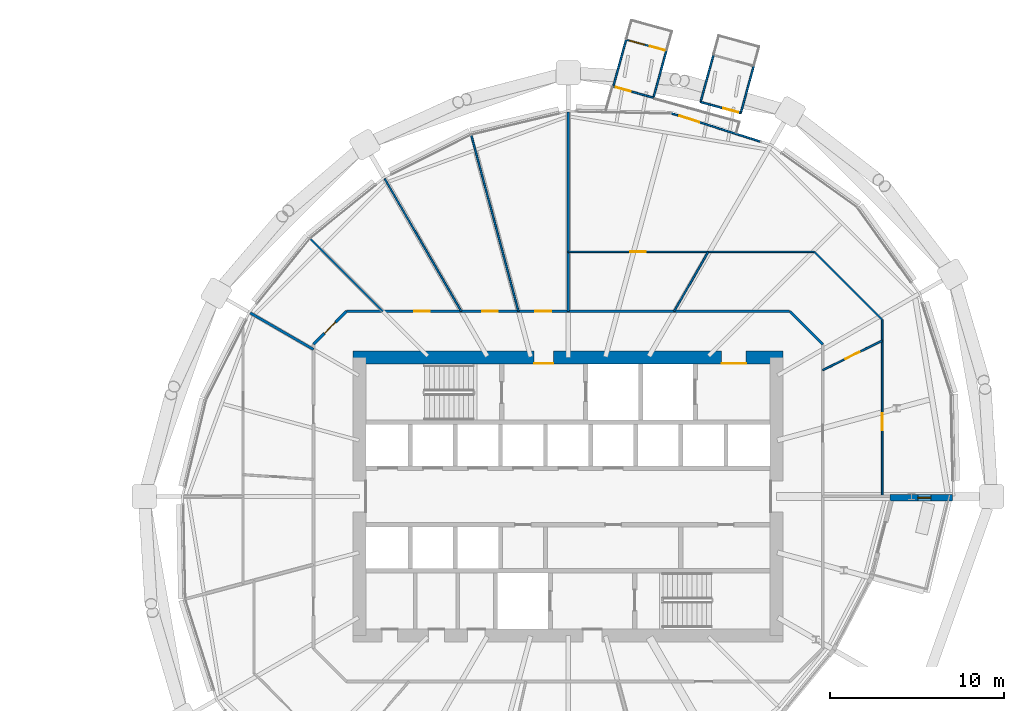
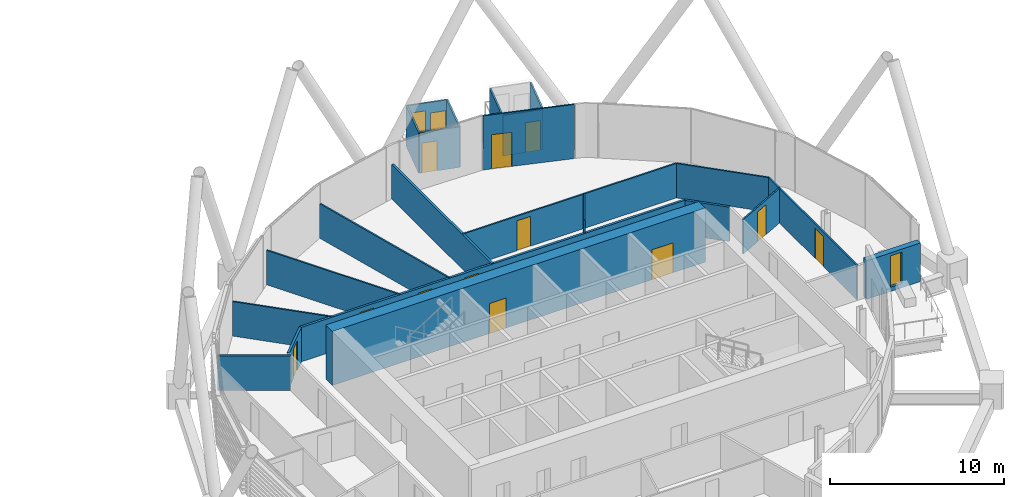
# One storey, part 28 of 38: 23 walls, 13 doors, 2 windows, 15 openings.
"""IFC4 building model written with IfcOpenShell, lengths in metres."""

import ifcopenshell
import ifcopenshell.guid

model = None  # the IFC model being written
_history = None  # IfcOwnerHistory: only IFC2X3 demands one
_inside = {}  # id of a spatial element -> (the spatial element, [elements in it])
_under = {}  # id of a project, library or spatial element -> (it, [spatial elements below it])
_declared = {}  # id of a project -> (the project, [libraries it declares])
_typed = {}  # id of a type object -> (the type object, [elements of that type])
_made_of = {}  # id of a material, layer set ... -> (it, [elements and type objects made of it])


def new_model(schema):
    """Start an empty IFC model of exactly this schema.

    Asked for "IFC4X3", IfcOpenShell would pick the latest addendum, in which some entities
    have other attributes; the version numbers below select the first issue.
    IFC2X3 requires an IfcOwnerHistory on every rooted entity: one is made here for all.
    """
    global model, _history
    if schema == "IFC4X3":
        model = ifcopenshell.file(schema_version=(4, 3, 0, 0))
    else:
        model = ifcopenshell.file(schema=schema)
    _inside.clear()
    _under.clear()
    _declared.clear()
    _typed.clear()
    _made_of.clear()
    _history = None
    if model.schema == "IFC2X3":
        org = make("IfcOrganization", Name="unknown")
        user = make(
            "IfcPersonAndOrganization",
            ThePerson=make("IfcPerson", FamilyName="unknown"),
            TheOrganization=org,
        )
        app = make(
            "IfcApplication",
            ApplicationDeveloper=org,
            Version="unknown",
            ApplicationFullName="unknown",
            ApplicationIdentifier="unknown",
        )
        _history = make(
            "IfcOwnerHistory",
            OwningUser=user,
            OwningApplication=app,
            ChangeAction="ADDED",
            CreationDate=0,
        )
    return model


def make(cls, **values):
    """One entity of the class cls with the attributes given. An attribute that is None is left unset."""
    return model.create_entity(
        cls, **{name: value for name, value in values.items() if value is not None}
    )


def rooted(cls, **values):
    """An entity with a GlobalId (a new one), such as an element, a storey or a relation."""
    return make(cls, GlobalId=ifcopenshell.guid.new(), OwnerHistory=_history, **values)


def si_unit(unit_type, name, prefix=None):
    """IfcSIUnit, for example si_unit("LENGTHUNIT", "METRE", prefix="MILLI")."""
    return make("IfcSIUnit", UnitType=unit_type, Prefix=prefix, Name=name)


def assignment(units):
    """IfcUnitAssignment: the units of a project."""
    return None if units is None else make("IfcUnitAssignment", Units=units)


def point(xyz):
    """IfcCartesianPoint."""
    return None if xyz is None else make("IfcCartesianPoint", Coordinates=xyz)


def direction(xyz):
    """IfcDirection."""
    return None if xyz is None else make("IfcDirection", DirectionRatios=xyz)


def frame(location, z_axis=None, x_axis=None):
    """IfcAxis2Placement3D, a coordinate frame: its origin and axes. An axis left out is left unset."""
    return make(
        "IfcAxis2Placement3D",
        Location=point(location),
        Axis=direction(z_axis),
        RefDirection=direction(x_axis),
    )


def frame_2d(location, x_axis=None):
    """IfcAxis2Placement2D, a coordinate frame in the plane: its origin and x axis."""
    return make(
        "IfcAxis2Placement2D", Location=point(location), RefDirection=direction(x_axis)
    )


def origin():
    """The frame at (0, 0, 0) with its axes left unset."""
    return frame((0.0, 0.0, 0.0))


def place(relative_to, where):
    """IfcLocalPlacement: puts the frame where relative to a parent placement (None: the world)."""
    return make(
        "IfcLocalPlacement", PlacementRelTo=relative_to, RelativePlacement=where
    )


def context(
    kind, dimensions, precision=None, world=None, true_north=None, identifier=None
):
    """IfcGeometricRepresentationContext, for example the 3D "Model" context."""
    return make(
        "IfcGeometricRepresentationContext",
        ContextIdentifier=identifier,
        ContextType=kind,
        CoordinateSpaceDimension=dimensions,
        Precision=precision,
        WorldCoordinateSystem=world,
        TrueNorth=true_north,
    )


def subcontext(parent, identifier, kind, view, scale=None):
    """IfcGeometricRepresentationSubContext, for example "Body" below "Model"."""
    return make(
        "IfcGeometricRepresentationSubContext",
        ContextIdentifier=identifier,
        ContextType=kind,
        ParentContext=parent,
        TargetScale=scale,
        TargetView=view,
    )


def project(units=None, contexts=None):
    """IfcProject with its units and contexts."""
    return rooted(
        "IfcProject",
        Name="project",
        RepresentationContexts=contexts,
        UnitsInContext=assignment(units),
    )


def spatial(cls, under=None, at=None, **own):
    """A site, building, storey or space (cls), placed at a placement, below another one or the project."""
    s = rooted(cls, ObjectPlacement=at, **own)
    if under is not None:
        _under.setdefault(under.id(), (under, []))[1].append(s)
    return s


def profile(cls, at=None, kind="AREA", **sizes):
    """A parametric profile (cls). Its sizes go by their IFC names, for example OverallWidth=200.0."""
    return make(cls, ProfileType=kind, Position=at, **sizes)


def rectangle(**sizes):
    """IfcRectangleProfileDef."""
    return profile("IfcRectangleProfileDef", **sizes)


def extrude(swept, where, along, depth):
    """IfcExtrudedAreaSolid: the profile swept, set in the frame where, extruded along a direction by depth."""
    return make(
        "IfcExtrudedAreaSolid",
        SweptArea=swept,
        Position=where,
        ExtrudedDirection=direction(along),
        Depth=depth,
    )


def shape(context_of_items, identifier, shape_type, items):
    """IfcShapeRepresentation: the items that make up one representation, for example the "Body"."""
    return make(
        "IfcShapeRepresentation",
        ContextOfItems=context_of_items,
        RepresentationIdentifier=identifier,
        RepresentationType=shape_type,
        Items=items,
    )


def material(Name=None, Category=None):
    """IfcMaterial."""
    return make("IfcMaterial", Name=Name, Category=Category)


def layer(
    of_material, thickness, ventilated=None, Name=None, Category=None, Priority=None
):
    """IfcMaterialLayer: one layer of a wall or slab, of a material (None: an air gap)."""
    return make(
        "IfcMaterialLayer",
        Material=of_material,
        LayerThickness=thickness,
        IsVentilated=ventilated,
        Name=Name,
        Category=Category,
        Priority=Priority,
    )


def layer_set(layers, Name=None):
    """IfcMaterialLayerSet."""
    return make("IfcMaterialLayerSet", MaterialLayers=layers, LayerSetName=Name)


def made_of(thing, what):
    """Note that an element or type object is made of a material, layer set ...; save() writes the relation."""
    if what is not None:
        _made_of.setdefault(what.id(), (what, []))[1].append(thing)
    return thing


def type_object(cls, material=None, **own):
    """A type object (cls), such as IfcWallType, which elements share."""
    return made_of(rooted(cls, **own), material)


def element(
    cls,
    number,
    at=None,
    inside=None,
    cuts=None,
    type_object=None,
    material=None,
    context=None,
    identifier="Body",
    shape_type=None,
    held_by="IfcProductDefinitionShape",
    body=None,
    shapes=None,
    **own,
):
    """One element of the class cls, such as IfcWall. Its Tag is "e" and its number.

    at: its placement. inside: the storey or other place that contains it. cuts: it is an
    opening in that element (IfcRelVoidsElement). A single representation is given by context,
    identifier, shape_type and body (its items); several are given by shapes. held_by: the class
    of the entity that holds the representations. save() writes the other relations.
    """
    e = rooted(cls, Tag="e%d" % number, ObjectPlacement=at, **own)
    if body is not None:
        shapes = [shape(context, identifier, shape_type, body)]
    if shapes is not None:
        e.Representation = make(held_by, Representations=shapes)
    if inside is not None:
        _inside.setdefault(inside.id(), (inside, []))[1].append(e)
    if cuts is not None:
        rooted(
            "IfcRelVoidsElement", RelatingBuildingElement=cuts, RelatedOpeningElement=e
        )
    if type_object is not None:
        _typed.setdefault(type_object.id(), (type_object, []))[1].append(e)
    return made_of(e, material)


def fill(opening, filler):
    """IfcRelFillsElement: the door or window that sits in an opening."""
    return rooted(
        "IfcRelFillsElement",
        RelatingOpeningElement=opening,
        RelatedBuildingElement=filler,
    )


def aggregate(whole, parts):
    """IfcRelAggregates: a whole, such as a stair, and the parts it consists of."""
    return rooted("IfcRelAggregates", RelatingObject=whole, RelatedObjects=parts)


def save(model, path):
    """Write the relations noted so far, then the file.

    IfcRelAggregates (storeys below a building ...), IfcRelContainedInSpatialStructure (elements
    in a storey), IfcRelDefinesByType, IfcRelAssociatesMaterial and IfcRelDeclares: one each for
    every whole, place, type object, material and project.
    """
    for whole, parts in _under.values():
        aggregate(whole, parts)
    for where, things in _inside.values():
        rooted(
            "IfcRelContainedInSpatialStructure",
            RelatedElements=things,
            RelatingStructure=where,
        )
    for kind, things in _typed.values():
        rooted("IfcRelDefinesByType", RelatedObjects=things, RelatingType=kind)
    for what, things in _made_of.values():
        rooted("IfcRelAssociatesMaterial", RelatedObjects=things, RelatingMaterial=what)
    for by, libraries in _declared.values():
        rooted("IfcRelDeclares", RelatingContext=by, RelatedDefinitions=libraries)
    model.write(path)


model = new_model("IFC4")

# Units and contexts
model_context = context("Model", 3, precision=1e-05, world=origin(), true_north=direction((0.0, 1.0)))
body_context = subcontext(model_context, "Body", "Model", "MODEL_VIEW")
ifc_project = project(units=[si_unit("LENGTHUNIT", "METRE"), si_unit("AREAUNIT", "SQUARE_METRE"), si_unit("VOLUMEUNIT", "CUBIC_METRE"), si_unit("PLANEANGLEUNIT", "RADIAN"), si_unit("MASSUNIT", "GRAM", prefix="KILO")], contexts=[model_context])

# Site, building, storey
site_placement = place(None, origin())
site = spatial("IfcSite", under=ifc_project, at=site_placement, CompositionType="ELEMENT")
building_placement = place(site_placement, origin())
building = spatial("IfcBuilding", under=site, at=building_placement, Name="Rimbun Link Towers", CompositionType="ELEMENT")
storey_placement = place(building_placement, frame((0.0, 0.0, 93.0)))
storey = spatial("IfcBuildingStorey", under=building, at=storey_placement, Name="L22", CompositionType="ELEMENT", Elevation=93.0)

# Wall, openings, door, window
ifc_material_1 = material(Name="Terracotta-faced insulated sandwich panel", Category="masonry")
ifc_layer_1 = layer(ifc_material_1, 0.10009765625)
ifc_layer_set_1 = layer_set([ifc_layer_1], Name="CAPSULE entrance panel 100")
wall_type_1 = type_object("IfcWallType", Name="CAPSULE entrance panel 100", PredefinedType="STANDARD", material=ifc_layer_set_1)
wall_1_placement = place(storey_placement, frame((37.405029296875, 25.64306640625, 0.0), z_axis=(0.0, 0.0, 1.0), x_axis=(-0.96427623078, 0.264898755665, 0.0)))
wall_1 = element("IfcWall", 1, at=wall_1_placement, inside=storey, type_object=wall_type_1, Name="CAPSULE D222.01 shell panel 2", PredefinedType="STANDARD", context=body_context, shape_type="SweptSolid", body=[
    extrude(rectangle(XDim=2.39990234375, YDim=0.10009765625, at=frame_2d((1.199951171875, 0.0))), origin(), (0.0, 0.0, 1.0), 2.85009765625),
])
opening_1_placement = place(wall_1_placement, frame((0.10009765625, 0.0, 0.0)))
opening_1 = element("IfcOpeningElement", 2, at=opening_1_placement, cuts=wall_1, Name="Opening CD22.01", PredefinedType="OPENING", context=body_context, shape_type="SweptSolid", body=[
    extrude(rectangle(XDim=0.89990234375, YDim=2.10009765625, at=frame_2d((0.449951171875, 1.050048828125))), frame((0.0, 0.06005859375, 0.0), z_axis=(0.0, -1.0, 0.0), x_axis=(1.0, 0.0, 0.0)), (0.0, 0.0, 1.0), 0.1201171875),
])
opening_2_placement = place(wall_1_placement, frame((1.300048828125, 0.0, 0.89990234375)))
opening_2 = element("IfcOpeningElement", 3, at=opening_2_placement, cuts=wall_1, Name="Opening CN22.01", PredefinedType="OPENING", context=body_context, shape_type="SweptSolid", body=[
    extrude(rectangle(XDim=0.89990234375, YDim=1.39990234375, at=frame_2d((0.449951171875, 0.699951171875))), frame((0.0, 0.06005859375, 0.0), z_axis=(0.0, -1.0, 0.0), x_axis=(1.0, 0.0, 0.0)), (0.0, 0.0, 1.0), 0.1201171875),
])
ifc_material_2 = material(Name="Aluminium framed insulated door leaf", Category="aluminium")
door_type_1 = type_object("IfcDoorType", Name="CAPSULE door single leaf 900X2100", OperationType="SINGLE_SWING_LEFT", PredefinedType="DOOR", material=ifc_material_2)
door_1_placement = place(opening_1_placement, origin())
door_1 = element("IfcDoor", 4, at=door_1_placement, inside=storey, type_object=door_type_1, Name="CAPSULE D222.01 door", OperationType="SINGLE_SWING_LEFT", OverallHeight=2.10009765625, OverallWidth=0.89990234375, PredefinedType="DOOR", context=body_context, shape_type="SweptSolid", body=[
    extrude(rectangle(XDim=0.89990234375, YDim=2.10009765625, at=frame_2d((0.449951171875, 1.050048828125))), frame((0.0, 0.02490234375, 0.0), z_axis=(0.0, -1.0, 0.0), x_axis=(1.0, 0.0, 0.0)), (0.0, 0.0, 1.0), 0.050048828125),
])
fill(opening_1, door_1)
ifc_material_3 = material(Name="Aluminium framed window, low-iron glass", Category="aluminium")
window_type_1 = type_object("IfcWindowType", Name="CAPSULE window 900X1400", PartitioningType="SINGLE_PANEL", PredefinedType="WINDOW", material=ifc_material_3)
window_1_placement = place(opening_2_placement, origin())
window_1 = element("IfcWindow", 5, at=window_1_placement, inside=storey, type_object=window_type_1, Name="CAPSULE D222.01 window", OverallHeight=1.39990234375, OverallWidth=0.89990234375, PartitioningType="SINGLE_PANEL", PredefinedType="WINDOW", context=body_context, shape_type="SweptSolid", body=[
    extrude(rectangle(XDim=0.89990234375, YDim=1.39990234375, at=frame_2d((0.449951171875, 0.699951171875))), frame((0.0, 0.030029296875, 0.0), z_axis=(0.0, -1.0, 0.0), x_axis=(1.0, 0.0, 0.0)), (0.0, 0.0, 1.0), 0.06005859375),
])
fill(opening_2, window_1)

# Wall, opening, door
wall_2_placement = place(storey_placement, frame((34.34912109375, 23.57861328125, 0.0), z_axis=(0.0, 0.0, 1.0), x_axis=(0.964302211697, -0.264804162575, 0.0)))
wall_2 = element("IfcWall", 6, at=wall_2_placement, inside=storey, type_object=wall_type_1, Name="CAPSULE D222.01 shell panel 4", PredefinedType="STANDARD", context=body_context, shape_type="SweptSolid", body=[
    extrude(rectangle(XDim=2.39990234375, YDim=0.10009765625, at=frame_2d((1.199951171875, 0.0))), origin(), (0.0, 0.0, 1.0), 2.85009765625),
])
opening_3_placement = place(wall_2_placement, frame((0.14990234375, 0.0, 0.0)))
opening_3 = element("IfcOpeningElement", 7, at=opening_3_placement, cuts=wall_2, Name="Opening CE22.01", PredefinedType="OPENING", context=body_context, shape_type="SweptSolid", body=[
    extrude(rectangle(XDim=0.89990234375, YDim=2.10009765625, at=frame_2d((0.449951171875, 1.050048828125))), frame((0.0, 0.06005859375, 0.0), z_axis=(0.0, -1.0, 0.0), x_axis=(1.0, 0.0, 0.0)), (0.0, 0.0, 1.0), 0.1201171875),
])
door_2_placement = place(opening_3_placement, origin())
door_2 = element("IfcDoor", 8, at=door_2_placement, inside=storey, type_object=door_type_1, Name="CAPSULE D222.01 inner door", OperationType="SINGLE_SWING_LEFT", OverallHeight=2.10009765625, OverallWidth=0.89990234375, PredefinedType="DOOR", context=body_context, shape_type="SweptSolid", body=[
    extrude(rectangle(XDim=0.89990234375, YDim=2.10009765625, at=frame_2d((0.449951171875, 1.050048828125))), frame((0.0, 0.02490234375, 0.0), z_axis=(0.0, -1.0, 0.0), x_axis=(1.0, 0.0, 0.0)), (0.0, 0.0, 1.0), 0.050048828125),
])
fill(opening_3, door_2)

wall_3_placement = place(storey_placement, frame((39.37158203125, 22.692138671875, 0.0), z_axis=(0.0, 0.0, 1.0), x_axis=(0.96427623078, -0.264898755665, 0.0)))
wall_3 = element("IfcWall", 9, at=wall_3_placement, inside=storey, type_object=wall_type_1, Name="CAPSULE D222.02 shell panel 4", PredefinedType="STANDARD", context=body_context, shape_type="SweptSolid", body=[
    extrude(rectangle(XDim=2.39990234375, YDim=0.10009765625, at=frame_2d((1.199951171875, 0.0))), origin(), (0.0, 0.0, 1.0), 2.85009765625),
])
opening_4_placement = place(wall_3_placement, frame((1.35009765625, 0.0, 0.0)))
opening_4 = element("IfcOpeningElement", 10, at=opening_4_placement, cuts=wall_3, Name="Opening CE22.02", PredefinedType="OPENING", context=body_context, shape_type="SweptSolid", body=[
    extrude(rectangle(XDim=0.89990234375, YDim=2.10009765625, at=frame_2d((0.449951171875, 1.050048828125))), frame((0.0, 0.06005859375, 0.0), z_axis=(0.0, -1.0, 0.0), x_axis=(1.0, 0.0, 0.0)), (0.0, 0.0, 1.0), 0.1201171875),
])
door_3_placement = place(opening_4_placement, origin())
door_3 = element("IfcDoor", 11, at=door_3_placement, inside=storey, type_object=door_type_1, Name="CAPSULE D222.02 inner door", OperationType="SINGLE_SWING_LEFT", OverallHeight=2.10009765625, OverallWidth=0.89990234375, PredefinedType="DOOR", context=body_context, shape_type="SweptSolid", body=[
    extrude(rectangle(XDim=0.89990234375, YDim=2.10009765625, at=frame_2d((0.449951171875, 1.050048828125))), frame((0.0, 0.02490234375, 0.0), z_axis=(0.0, -1.0, 0.0), x_axis=(1.0, 0.0, 0.0)), (0.0, 0.0, 1.0), 0.050048828125),
])
fill(opening_4, door_3)

# Walls
ifc_material_4 = material(Name="Terracotta-faced insulated sandwich panel", Category="masonry")
ifc_layer_2 = layer(ifc_material_4, 0.10009765625)
ifc_layer_set_2 = layer_set([ifc_layer_2], Name="CAPSULE shell panel 100")
wall_type_2 = type_object("IfcWallType", Name="CAPSULE shell panel 100", PredefinedType="STANDARD", material=ifc_layer_set_2)
wall_4_placement = place(storey_placement, frame((36.663330078125, 22.943115234375, 0.0), z_axis=(0.0, 0.0, 1.0), x_axis=(0.264895043593, 0.964277250525, 0.0)))
element("IfcWall", 12, at=wall_4_placement, inside=storey, type_object=wall_type_2, Name="CAPSULE D222.01 shell panel 1", PredefinedType="STANDARD", context=body_context, shape_type="SweptSolid", body=[
    extrude(rectangle(XDim=2.800048828125, YDim=0.10009765625, at=frame_2d((1.39990234375, 0.0))), origin(), (0.0, 0.0, 1.0), 2.85009765625),
])
wall_5_placement = place(storey_placement, frame((35.0908203125, 26.27880859375, 0.0), z_axis=(0.0, 0.0, 1.0), x_axis=(-0.264872773262, -0.964283368095, 0.0)))
element("IfcWall", 13, at=wall_5_placement, inside=storey, type_object=wall_type_2, Name="CAPSULE D222.01 shell panel 3", PredefinedType="STANDARD", context=body_context, shape_type="SweptSolid", body=[
    extrude(rectangle(XDim=2.80029296875, YDim=0.10009765625, at=frame_2d((1.400146484375, 0.0))), origin(), (0.0, 0.0, 1.0), 2.85009765625),
])
wall_6_placement = place(storey_placement, frame((41.685791015625, 22.056396484375, 0.0), z_axis=(0.0, 0.0, 1.0), x_axis=(0.264895043593, 0.964277250525, 0.0)))
element("IfcWall", 14, at=wall_6_placement, inside=storey, type_object=wall_type_2, Name="CAPSULE D222.02 shell panel 1", PredefinedType="STANDARD", context=body_context, shape_type="SweptSolid", body=[
    extrude(rectangle(XDim=2.800048828125, YDim=0.10009765625, at=frame_2d((1.39990234375, 0.0))), origin(), (0.0, 0.0, 1.0), 2.85009765625),
])
wall_7_placement = place(storey_placement, frame((40.113037109375, 25.39208984375, 0.0), z_axis=(0.0, 0.0, 1.0), x_axis=(-0.264813965234, -0.964299519764, 0.0)))
element("IfcWall", 15, at=wall_7_placement, inside=storey, type_object=wall_type_2, Name="CAPSULE D222.02 shell panel 3", PredefinedType="STANDARD", context=body_context, shape_type="SweptSolid", body=[
    extrude(rectangle(XDim=2.7998046875, YDim=0.10009765625, at=frame_2d((1.39990234375, 0.0))), origin(), (0.0, 0.0, 1.0), 2.85009765625),
])

# Wall, opening, window
ifc_material_5 = material(Name="Dark enamelled glass spandrel on insulated aluminium backpan", Category="aluminium")
ifc_layer_3 = layer(ifc_material_5, 0.3701171875)
ifc_layer_set_3 = layer_set([ifc_layer_3], Name="CS dark enamelled spandrel wall 370")
wall_type_3 = type_object("IfcWallType", Name="CS dark enamelled spandrel wall 370", PredefinedType="STANDARD", material=ifc_layer_set_3)
wall_8_placement = place(storey_placement, frame((53.85888671875, -0.06494140625, 0.0), z_axis=(0.0, 0.0, 1.0), x_axis=(-1.0, 0.0, 0.0)))
wall_8 = element("IfcWall", 16, at=wall_8_placement, inside=storey, type_object=wall_type_3, Name="Crease spandrel wall", PredefinedType="STANDARD", context=body_context, shape_type="SweptSolid", body=[
    extrude(rectangle(XDim=3.579833984375, YDim=0.3701171875, at=frame_2d((1.7900390625, 0.0))), origin(), (0.0, 0.0, 1.0), 2.711669921875),
])
opening_5_placement = place(wall_8_placement, frame((1.241455078125, 0.0, 0.300048828125)))
opening_5 = element("IfcOpeningElement", 17, at=opening_5_placement, cuts=wall_8, Name="Opening WR08H220", PredefinedType="OPENING", context=body_context, shape_type="SweptSolid", body=[
    extrude(rectangle(XDim=0.75, YDim=2.199951171875, at=frame_2d((0.375, 1.10009765625))), frame((0.0, 0.195068359375, 0.0), z_axis=(0.0, -1.0, 0.0), x_axis=(1.0, 0.0, 0.0)), (0.0, 0.0, 1.0), 0.39013671875),
])
ifc_material_6 = material(Name="Aluminium framed fixed window, dark tinted low-e glass", Category="aluminium")
window_type_2 = type_object("IfcWindowType", Name="WR ribbon window 750X2200", PartitioningType="SINGLE_PANEL", PredefinedType="WINDOW", material=ifc_material_6)
window_2_placement = place(opening_5_placement, origin())
window_2 = element("IfcWindow", 18, at=window_2_placement, inside=storey, type_object=window_type_2, Name="Crease ribbon window", OverallHeight=2.199951171875, OverallWidth=0.75, PartitioningType="SINGLE_PANEL", PredefinedType="WINDOW", context=body_context, shape_type="SweptSolid", body=[
    extrude(rectangle(XDim=0.75, YDim=2.199951171875, at=frame_2d((0.375, 1.10009765625))), frame((0.0, 0.030029296875, 0.0), z_axis=(0.0, -1.0, 0.0), x_axis=(1.0, 0.0, 0.0)), (0.0, 0.0, 1.0), 0.06005859375),
])
fill(opening_5, window_2)

# Wall, openings, doors
ifc_material_7 = material(Name="Concrete C60/75", Category="concrete")
ifc_layer_4 = layer(ifc_material_7, 0.75)
ifc_layer_set_4 = layer_set([ifc_layer_4], Name="Core shear wall 750")
wall_type_4 = type_object("IfcWallType", Name="Core shear wall 750", PredefinedType="SHEAR", material=ifc_layer_set_4)
wall_9_placement = place(storey_placement, frame((19.375, 8.0, 0.0), z_axis=(0.0, 0.0, 1.0), x_axis=(1.0, 0.0, 0.0)))
wall_9 = element("IfcWall", 19, at=wall_9_placement, inside=storey, type_object=wall_type_4, Name="L22 T2 core wall N", PredefinedType="SHEAR", context=body_context, shape_type="SweptSolid", body=[
    extrude(rectangle(XDim=24.75, YDim=0.75, at=frame_2d((12.375, 0.0))), origin(), (0.0, 0.0, 1.0), 3.800048828125),
])
opening_6_placement = place(wall_9_placement, frame((10.425048828125, 0.0, 0.0)))
opening_6 = element("IfcOpeningElement", 20, at=opening_6_placement, cuts=wall_9, Name="Opening C2DCF01N", PredefinedType="OPENING", context=body_context, shape_type="SweptSolid", body=[
    extrude(rectangle(XDim=1.10009765625, YDim=2.10009765625, at=frame_2d((0.550048828125, 1.050048828125))), frame((0.0, 0.385009765625, 0.0), z_axis=(0.0, -1.0, 0.0), x_axis=(1.0, 0.0, 0.0)), (0.0, 0.0, 1.0), 0.77001953125),
])
opening_7_placement = place(wall_9_placement, frame((21.21240234375, 0.0, 0.0)))
opening_7 = element("IfcOpeningElement", 21, at=opening_7_placement, cuts=wall_9, Name="Opening C2DSL02N", PredefinedType="OPENING", context=body_context, shape_type="SweptSolid", body=[
    extrude(rectangle(XDim=1.39990234375, YDim=2.10009765625, at=frame_2d((0.699951171875, 1.050048828125))), frame((0.0, 0.385009765625, 0.0), z_axis=(0.0, -1.0, 0.0), x_axis=(1.0, 0.0, 0.0)), (0.0, 0.0, 1.0), 0.77001953125),
])
ifc_material_8 = material(Name="Steel fire door set", Category="steel")
door_type_2 = type_object("IfcDoorType", Name="Core fire door single", OperationType="SINGLE_SWING_LEFT", PredefinedType="DOOR", material=ifc_material_8)
door_4_placement = place(opening_6_placement, origin())
door_4 = element("IfcDoor", 22, at=door_4_placement, inside=storey, type_object=door_type_2, Name="L22 T2 firefighting lobby n door", OperationType="SINGLE_SWING_LEFT", OverallHeight=2.10009765625, OverallWidth=1.10009765625, PredefinedType="DOOR", context=body_context, shape_type="SweptSolid", body=[
    extrude(rectangle(XDim=1.10009765625, YDim=2.10009765625, at=frame_2d((0.550048828125, 1.050048828125))), frame((0.0, -0.3251953125, 0.0), z_axis=(0.0, -1.0, 0.0), x_axis=(1.0, 0.0, 0.0)), (0.0, 0.0, 1.0), 0.050048828125),
])
fill(opening_6, door_4)
ifc_material_9 = material(Name="Steel fire door set", Category="steel")
door_type_3 = type_object("IfcDoorType", Name="Service lobby door double", OperationType="DOUBLE_DOOR_SINGLE_SWING", PredefinedType="DOOR", material=ifc_material_9)
door_5_placement = place(opening_7_placement, origin())
door_5 = element("IfcDoor", 23, at=door_5_placement, inside=storey, type_object=door_type_3, Name="L22 T2 service lobby door", OperationType="DOUBLE_DOOR_SINGLE_SWING", OverallHeight=2.10009765625, OverallWidth=1.39990234375, PredefinedType="DOOR", context=body_context, shape_type="SweptSolid", body=[
    extrude(rectangle(XDim=1.39990234375, YDim=2.10009765625, at=frame_2d((0.699951171875, 1.050048828125))), frame((0.0, -0.3251953125, 0.0), z_axis=(0.0, -1.0, 0.0), x_axis=(1.0, 0.0, 0.0)), (0.0, 0.0, 1.0), 0.050048828125),
])
fill(opening_7, door_5)

ifc_material_10 = material(Name="Plasterboard on steel stud, mineral wool", Category="steel")
ifc_layer_5 = layer(ifc_material_10, 0.14990234375)
ifc_layer_set_5 = layer_set([ifc_layer_5], Name="Corridor wall EI 30 150 mm")
wall_type_5 = type_object("IfcWallType", Name="Corridor wall EI 30 150 mm", PredefinedType="PARTITIONING", material=ifc_layer_set_5)
wall_10_placement = place(storey_placement, frame((18.998291015625, 10.64990234375, 0.0), z_axis=(0.0, 0.0, 1.0), x_axis=(1.0, 0.0, 0.0)))
wall_10 = element("IfcWall", 24, at=wall_10_placement, inside=storey, type_object=wall_type_5, Name="Corridor wall EI 30 150 mm", PredefinedType="PARTITIONING", context=body_context, shape_type="SweptSolid", body=[
    extrude(rectangle(XDim=25.50341796875, YDim=0.14990234375, at=frame_2d((12.751708984375, 0.0))), origin(), (0.0, 0.0, 1.0), 2.419921875),
])
opening_8_placement = place(wall_10_placement, frame((10.875, 0.0, 0.0)))
opening_8 = element("IfcOpeningElement", 25, at=opening_8_placement, cuts=wall_10, Name="Opening D02", PredefinedType="OPENING", context=body_context, shape_type="SweptSolid", body=[
    extrude(rectangle(XDim=0.89990234375, YDim=2.10009765625, at=frame_2d((0.449951171875, 1.050048828125))), frame((0.0, 0.0849609375, 0.0), z_axis=(0.0, -1.0, 0.0), x_axis=(1.0, 0.0, 0.0)), (0.0, 0.0, 1.0), 0.169921875),
])
opening_9_placement = place(wall_10_placement, frame((7.800537109375, 0.0, 0.0)))
opening_9 = element("IfcOpeningElement", 26, at=opening_9_placement, cuts=wall_10, Name="Opening D02", PredefinedType="OPENING", context=body_context, shape_type="SweptSolid", body=[
    extrude(rectangle(XDim=0.89990234375, YDim=2.10009765625, at=frame_2d((0.449951171875, 1.050048828125))), frame((0.0, 0.0849609375, 0.0), z_axis=(0.0, -1.0, 0.0), x_axis=(1.0, 0.0, 0.0)), (0.0, 0.0, 1.0), 0.169921875),
])
opening_10_placement = place(wall_10_placement, frame((3.90234375, 0.0, 0.0)))
opening_10 = element("IfcOpeningElement", 27, at=opening_10_placement, cuts=wall_10, Name="Opening D02", PredefinedType="OPENING", context=body_context, shape_type="SweptSolid", body=[
    extrude(rectangle(XDim=0.89990234375, YDim=2.10009765625, at=frame_2d((0.449951171875, 1.050048828125))), frame((0.0, 0.0849609375, 0.0), z_axis=(0.0, -1.0, 0.0), x_axis=(1.0, 0.0, 0.0)), (0.0, 0.0, 1.0), 0.169921875),
])
ifc_material_11 = material(Name="Fire-resisting timber door leaf", Category="wood")
door_type_4 = type_object("IfcDoorType", Name="Fire door FD30S 900", OperationType="NOTDEFINED", PredefinedType="DOOR", material=ifc_material_11)
door_6_placement = place(opening_8_placement, origin())
door_6 = element("IfcDoor", 28, at=door_6_placement, inside=storey, type_object=door_type_4, Name="Fire door FD30S 900 to Cellular office", OperationType="SINGLE_SWING_RIGHT", OverallHeight=2.10009765625, OverallWidth=0.89990234375, PredefinedType="DOOR", context=body_context, shape_type="SweptSolid", body=[
    extrude(rectangle(XDim=0.89990234375, YDim=2.10009765625, at=frame_2d((0.449951171875, 1.050048828125))), frame((0.0, 0.02490234375, 0.0), z_axis=(0.0, -1.0, 0.0), x_axis=(1.0, 0.0, 0.0)), (0.0, 0.0, 1.0), 0.050048828125),
])
fill(opening_8, door_6)
door_7_placement = place(opening_9_placement, origin())
door_7 = element("IfcDoor", 29, at=door_7_placement, inside=storey, type_object=door_type_4, Name="Fire door FD30S 900 to Cellular office", OperationType="SINGLE_SWING_LEFT", OverallHeight=2.10009765625, OverallWidth=0.89990234375, PredefinedType="DOOR", context=body_context, shape_type="SweptSolid", body=[
    extrude(rectangle(XDim=0.89990234375, YDim=2.10009765625, at=frame_2d((0.449951171875, 1.050048828125))), frame((0.0, 0.02490234375, 0.0), z_axis=(0.0, -1.0, 0.0), x_axis=(1.0, 0.0, 0.0)), (0.0, 0.0, 1.0), 0.050048828125),
])
fill(opening_9, door_7)
door_8_placement = place(opening_10_placement, origin())
door_8 = element("IfcDoor", 30, at=door_8_placement, inside=storey, type_object=door_type_4, Name="Fire door FD30S 900 to Cellular office", OperationType="SINGLE_SWING_RIGHT", OverallHeight=2.10009765625, OverallWidth=0.89990234375, PredefinedType="DOOR", context=body_context, shape_type="SweptSolid", body=[
    extrude(rectangle(XDim=0.89990234375, YDim=2.10009765625, at=frame_2d((0.449951171875, 1.050048828125))), frame((0.0, 0.02490234375, 0.0), z_axis=(0.0, -1.0, 0.0), x_axis=(1.0, 0.0, 0.0)), (0.0, 0.0, 1.0), 0.050048828125),
])
fill(opening_10, door_8)

# Wall
wall_11_placement = place(storey_placement, frame((46.39990234375, 8.751708984375, 0.0), z_axis=(0.0, 0.0, 1.0), x_axis=(-0.707106781187, 0.707106781187, 0.0)))
element("IfcWall", 31, at=wall_11_placement, inside=storey, type_object=wall_type_5, Name="Corridor wall EI 30 150 mm", PredefinedType="PARTITIONING", context=body_context, shape_type="SweptSolid", body=[
    extrude(rectangle(XDim=2.6845703125, YDim=0.14990234375, at=frame_2d((1.34228515625, 0.0))), origin(), (0.0, 0.0, 1.0), 2.419921875),
])

# Wall, opening, door
wall_12_placement = place(storey_placement, frame((17.10009765625, 8.751708984375, 0.0), z_axis=(0.0, 0.0, 1.0), x_axis=(0.707106781187, 0.707106781187, 0.0)))
wall_12 = element("IfcWall", 32, at=wall_12_placement, inside=storey, type_object=wall_type_5, Name="Corridor wall EI 30 150 mm", PredefinedType="PARTITIONING", context=body_context, shape_type="SweptSolid", body=[
    extrude(rectangle(XDim=2.6845703125, YDim=0.14990234375, at=frame_2d((1.34228515625, 0.0))), origin(), (0.0, 0.0, 1.0), 2.419921875),
])
opening_11_placement = place(wall_12_placement, frame((0.892333984375, 0.0, 0.0)))
opening_11 = element("IfcOpeningElement", 33, at=opening_11_placement, cuts=wall_12, Name="Opening D02", PredefinedType="OPENING", context=body_context, shape_type="SweptSolid", body=[
    extrude(rectangle(XDim=0.89990234375, YDim=2.10009765625, at=frame_2d((0.449951171875, 1.050048828125))), frame((0.0, 0.0849609375, 0.0), z_axis=(0.0, -1.0, 0.0), x_axis=(1.0, 0.0, 0.0)), (0.0, 0.0, 1.0), 0.169921875),
])
door_9_placement = place(opening_11_placement, origin())
door_9 = element("IfcDoor", 34, at=door_9_placement, inside=storey, type_object=door_type_4, Name="Fire door FD30S 900 to Meeting room", OperationType="SINGLE_SWING_LEFT", OverallHeight=2.10009765625, OverallWidth=0.89990234375, PredefinedType="DOOR", context=body_context, shape_type="SweptSolid", body=[
    extrude(rectangle(XDim=0.89990234375, YDim=2.10009765625, at=frame_2d((0.449951171875, 1.050048828125))), frame((0.0, 0.02490234375, 0.0), z_axis=(0.0, -1.0, 0.0), x_axis=(1.0, 0.0, 0.0)), (0.0, 0.0, 1.0), 0.050048828125),
])
fill(opening_11, door_9)

ifc_material_12 = material(Name="Aluminium framed insulated infill panel", Category="aluminium")
ifc_layer_6 = layer(ifc_material_12, 0.10009765625)
ifc_layer_set_6 = layer_set([ifc_layer_6], Name="ED framed infill wall 100")
wall_type_6 = type_object("IfcWallType", Name="ED framed infill wall 100", PredefinedType="STANDARD", material=ifc_layer_set_6)
wall_13_placement = place(storey_placement, frame((37.680419921875, 22.04638671875, 0.0), z_axis=(0.0, 0.0, 1.0), x_axis=(0.952972118482, -0.303057983553, 0.0)))
wall_13 = element("IfcWall", 35, at=wall_13_placement, inside=storey, type_object=wall_type_6, Name="Framed door bay wall", PredefinedType="STANDARD", context=body_context, shape_type="SweptSolid", body=[
    extrude(rectangle(XDim=5.395751953125, YDim=0.10009765625, at=frame_2d((2.69775390625, 0.0))), origin(), (0.0, 0.0, 1.0), 3.800048828125),
])
opening_12_placement = place(wall_13_placement, frame((0.5009765625, 0.0, 0.0)))
opening_12 = element("IfcOpeningElement", 36, at=opening_12_placement, cuts=wall_13, Name="Opening ED92", PredefinedType="OPENING", context=body_context, shape_type="SweptSolid", body=[
    extrude(rectangle(XDim=1.199951171875, YDim=2.39990234375, at=frame_2d((0.60009765625, 1.199951171875))), frame((0.0, 0.06005859375, 0.0), z_axis=(0.0, -1.0, 0.0), x_axis=(1.0, 0.0, 0.0)), (0.0, 0.0, 1.0), 0.1201171875),
])
ifc_material_13 = material(Name="Aluminium framed glazed door, low-iron glass", Category="aluminium")
door_type_5 = type_object("IfcDoorType", Name="ED terrace door double leaf 1200X2400", OperationType="DOUBLE_DOOR_SINGLE_SWING", PredefinedType="DOOR", material=ifc_material_13)
door_10_placement = place(opening_12_placement, origin())
door_10 = element("IfcDoor", 37, at=door_10_placement, inside=storey, type_object=door_type_5, Name="Terrace door", OperationType="SINGLE_SWING_LEFT", OverallHeight=2.39990234375, OverallWidth=1.199951171875, PredefinedType="DOOR", context=body_context, shape_type="SweptSolid", body=[
    extrude(rectangle(XDim=1.199951171875, YDim=2.39990234375, at=frame_2d((0.60009765625, 1.199951171875))), frame((0.0, 0.02490234375, 0.0), z_axis=(0.0, -1.0, 0.0), x_axis=(1.0, 0.0, 0.0)), (0.0, 0.0, 1.0), 0.050048828125),
])
fill(opening_12, door_10)

ifc_material_14 = material(Name="Plasterboard on steel stud", Category="steel")
ifc_layer_7 = layer(ifc_material_14, 0.10009765625)
ifc_layer_set_7 = layer_set([ifc_layer_7], Name="Plasterboard partition 100 mm")
wall_type_7 = type_object("IfcWallType", Name="Plasterboard partition 100 mm", PredefinedType="PARTITIONING", material=ifc_layer_set_7)
wall_14_placement = place(storey_placement, frame((46.39990234375, 7.265380859375, 0.0), z_axis=(0.0, 0.0, 1.0), x_axis=(0.895918685322, 0.444218087533, 0.0)))
wall_14 = element("IfcWall", 38, at=wall_14_placement, inside=storey, type_object=wall_type_7, Name="Plasterboard partition 100 mm", PredefinedType="PARTITIONING", context=body_context, shape_type="SweptSolid", body=[
    extrude(rectangle(XDim=3.8173828125, YDim=0.10009765625, at=frame_2d((1.90869140625, 0.0))), origin(), (0.0, 0.0, 1.0), 2.419921875),
])
opening_13_placement = place(wall_14_placement, frame((1.458740234375, 0.0, 0.0)))
opening_13 = element("IfcOpeningElement", 39, at=opening_13_placement, cuts=wall_14, Name="Opening D04", PredefinedType="OPENING", context=body_context, shape_type="SweptSolid", body=[
    extrude(rectangle(XDim=0.89990234375, YDim=2.10009765625, at=frame_2d((0.449951171875, 1.050048828125))), frame((0.0, 0.06005859375, 0.0), z_axis=(0.0, -1.0, 0.0), x_axis=(1.0, 0.0, 0.0)), (0.0, 0.0, 1.0), 0.1201171875),
])
ifc_material_15 = material(Name="Timber door leaf", Category="wood")
door_type_6 = type_object("IfcDoorType", Name="Flush door 900", OperationType="NOTDEFINED", PredefinedType="DOOR", material=ifc_material_15)
door_11_placement = place(opening_13_placement, origin())
door_11 = element("IfcDoor", 40, at=door_11_placement, inside=storey, type_object=door_type_6, Name="Flush door 900 to Meeting room", OperationType="SINGLE_SWING_LEFT", OverallHeight=2.10009765625, OverallWidth=0.89990234375, PredefinedType="DOOR", context=body_context, shape_type="SweptSolid", body=[
    extrude(rectangle(XDim=0.89990234375, YDim=2.10009765625, at=frame_2d((0.449951171875, 1.050048828125))), frame((0.0, 0.02490234375, 0.0), z_axis=(0.0, -1.0, 0.0), x_axis=(1.0, 0.0, 0.0)), (0.0, 0.0, 1.0), 0.050048828125),
])
fill(opening_13, door_11)

wall_15_placement = place(storey_placement, frame((49.820068359375, 10.168212890625, 0.0), z_axis=(0.0, 0.0, 1.0), x_axis=(0.0, -1.0, 0.0)))
wall_15 = element("IfcWall", 41, at=wall_15_placement, inside=storey, type_object=wall_type_7, Name="Plasterboard partition 100 mm", PredefinedType="PARTITIONING", context=body_context, shape_type="SweptSolid", body=[
    extrude(rectangle(XDim=10.168212890625, YDim=0.10009765625, at=frame_2d((5.083984375, 0.0))), origin(), (0.0, 0.0, 1.0), 2.419921875),
])
opening_14_placement = place(wall_15_placement, frame((5.372802734375, 0.0, 0.0)))
opening_14 = element("IfcOpeningElement", 42, at=opening_14_placement, cuts=wall_15, Name="Opening D03", PredefinedType="OPENING", context=body_context, shape_type="SweptSolid", body=[
    extrude(rectangle(XDim=1.0, YDim=2.10009765625, at=frame_2d((0.5, 1.050048828125))), frame((0.0, 0.06005859375, 0.0), z_axis=(0.0, -1.0, 0.0), x_axis=(1.0, 0.0, 0.0)), (0.0, 0.0, 1.0), 0.1201171875),
])
ifc_material_16 = material(Name="Timber door leaf", Category="wood")
door_type_7 = type_object("IfcDoorType", Name="Flush door 1000", OperationType="NOTDEFINED", PredefinedType="DOOR", material=ifc_material_16)
door_12_placement = place(opening_14_placement, origin())
door_12 = element("IfcDoor", 43, at=door_12_placement, inside=storey, type_object=door_type_7, Name="Flush door 1000 to Open office", OperationType="SINGLE_SWING_RIGHT", OverallHeight=2.10009765625, OverallWidth=1.0, PredefinedType="DOOR", context=body_context, shape_type="SweptSolid", body=[
    extrude(rectangle(XDim=1.0, YDim=2.10009765625, at=frame_2d((0.5, 1.050048828125))), frame((0.0, 0.02490234375, 0.0), z_axis=(0.0, -1.0, 0.0), x_axis=(1.0, 0.0, 0.0)), (0.0, 0.0, 1.0), 0.050048828125),
])
fill(opening_14, door_12)

# Wall
wall_16_placement = place(storey_placement, frame((39.81201171875, 14.070068359375, 0.0), z_axis=(0.0, 0.0, 1.0), x_axis=(-0.497159107965, -0.867659392485, 0.0)))
element("IfcWall", 44, at=wall_16_placement, inside=storey, type_object=wall_type_7, Name="Plasterboard partition 100 mm", PredefinedType="PARTITIONING", context=body_context, shape_type="SweptSolid", body=[
    extrude(rectangle(XDim=3.94189453125, YDim=0.10009765625, at=frame_2d((1.970947265625, 0.0))), origin(), (0.0, 0.0, 1.0), 2.419921875),
])

# Wall, opening, door
wall_17_placement = place(storey_placement, frame((45.918212890625, 14.070068359375, 0.0), z_axis=(0.0, 0.0, 1.0), x_axis=(-1.0, 0.0, 0.0)))
wall_17 = element("IfcWall", 45, at=wall_17_placement, inside=storey, type_object=wall_type_7, Name="Plasterboard partition 100 mm", PredefinedType="PARTITIONING", context=body_context, shape_type="SweptSolid", body=[
    extrude(rectangle(XDim=14.168212890625, YDim=0.10009765625, at=frame_2d((7.083984375, 0.0))), origin(), (0.0, 0.0, 1.0), 2.419921875),
])
opening_15_placement = place(wall_17_placement, frame((9.687255859375, 0.0, 0.0)))
opening_15 = element("IfcOpeningElement", 46, at=opening_15_placement, cuts=wall_17, Name="Opening D04", PredefinedType="OPENING", context=body_context, shape_type="SweptSolid", body=[
    extrude(rectangle(XDim=0.89990234375, YDim=2.10009765625, at=frame_2d((0.449951171875, 1.050048828125))), frame((0.0, 0.06005859375, 0.0), z_axis=(0.0, -1.0, 0.0), x_axis=(1.0, 0.0, 0.0)), (0.0, 0.0, 1.0), 0.1201171875),
])
door_13_placement = place(opening_15_placement, origin())
door_13 = element("IfcDoor", 47, at=door_13_placement, inside=storey, type_object=door_type_6, Name="Flush door 900 to Print room", OperationType="SINGLE_SWING_RIGHT", OverallHeight=2.10009765625, OverallWidth=0.89990234375, PredefinedType="DOOR", context=body_context, shape_type="SweptSolid", body=[
    extrude(rectangle(XDim=0.89990234375, YDim=2.10009765625, at=frame_2d((0.449951171875, 1.050048828125))), frame((0.0, 0.02490234375, 0.0), z_axis=(0.0, -1.0, 0.0), x_axis=(1.0, 0.0, 0.0)), (0.0, 0.0, 1.0), 0.050048828125),
])
fill(opening_15, door_13)

# Walls
wall_18_placement = place(storey_placement, frame((49.820068359375, 10.168212890625, 0.0), z_axis=(0.0, 0.0, 1.0), x_axis=(-0.707106781187, 0.707106781187, 0.0)))
element("IfcWall", 48, at=wall_18_placement, inside=storey, type_object=wall_type_7, Name="Plasterboard partition 100 mm", PredefinedType="PARTITIONING", context=body_context, shape_type="SweptSolid", body=[
    extrude(rectangle(XDim=5.51806640625, YDim=0.10009765625, at=frame_2d((2.759033203125, 0.0))), origin(), (0.0, 0.0, 1.0), 2.419921875),
])
wall_19_placement = place(storey_placement, frame((26.177490234375, 20.79638671875, 0.0), z_axis=(0.0, 0.0, 1.0), x_axis=(0.258819729531, -0.965925642897, 0.0)))
element("IfcWall", 49, at=wall_19_placement, inside=storey, type_object=wall_type_7, Name="Plasterboard partition 100 mm", PredefinedType="PARTITIONING", context=body_context, shape_type="SweptSolid", body=[
    extrude(rectangle(XDim=10.50439453125, YDim=0.10009765625, at=frame_2d((5.252197265625, 0.0))), origin(), (0.0, 0.0, 1.0), 2.419921875),
])
wall_20_placement = place(storey_placement, frame((21.189453125, 18.291259765625, 0.0), z_axis=(0.0, 0.0, 1.0), x_axis=(0.500010664886, -0.866019246322, 0.0)))
element("IfcWall", 50, at=wall_20_placement, inside=storey, type_object=wall_type_7, Name="Plasterboard partition 100 mm", PredefinedType="PARTITIONING", context=body_context, shape_type="SweptSolid", body=[
    extrude(rectangle(XDim=8.823486328125, YDim=0.10009765625, at=frame_2d((4.41162109375, 0.0))), origin(), (0.0, 0.0, 1.0), 2.419921875),
])
wall_21_placement = place(storey_placement, frame((16.9169921875, 14.8330078125, 0.0), z_axis=(0.0, 0.0, 1.0), x_axis=(0.707106781187, -0.707106781187, 0.0)))
element("IfcWall", 51, at=wall_21_placement, inside=storey, type_object=wall_type_7, Name="Plasterboard partition 100 mm", PredefinedType="PARTITIONING", context=body_context, shape_type="SweptSolid", body=[
    extrude(rectangle(XDim=5.915771484375, YDim=0.10009765625, at=frame_2d((2.9580078125, 0.0))), origin(), (0.0, 0.0, 1.0), 2.419921875),
])
ifc_material_17 = material(Name="Plasterboard on steel stud, mineral wool", Category="steel")
ifc_layer_8 = layer(ifc_material_17, 0.14990234375)
ifc_layer_set_8 = layer_set([ifc_layer_8], Name="Tenancy separation wall EI 60 150 mm")
wall_type_8 = type_object("IfcWallType", Name="Tenancy separation wall EI 60 150 mm", PredefinedType="PARTITIONING", material=ifc_layer_set_8)
wall_22_placement = place(storey_placement, frame((31.75, 10.64990234375, 0.0), z_axis=(0.0, 0.0, 1.0), x_axis=(0.0, 1.0, 0.0)))
element("IfcWall", 52, at=wall_22_placement, inside=storey, type_object=wall_type_8, Name="Tenancy separation wall EI 60 150 mm", PredefinedType="PARTITIONING", context=body_context, shape_type="SweptSolid", body=[
    extrude(rectangle(XDim=11.47900390625, YDim=0.14990234375, at=frame_2d((5.739501953125, 0.0))), origin(), (0.0, 0.0, 1.0), 2.419921875),
])
wall_23_placement = place(storey_placement, frame((17.10009765625, 8.458251953125, 0.0), z_axis=(0.0, 0.0, 1.0), x_axis=(-0.866029910937, 0.499992193301, 0.0)))
element("IfcWall", 53, at=wall_23_placement, inside=storey, type_object=wall_type_8, Name="Tenancy separation wall EI 60 150 mm", PredefinedType="PARTITIONING", context=body_context, shape_type="SweptSolid", body=[
    extrude(rectangle(XDim=4.20458984375, YDim=0.14990234375, at=frame_2d((2.102294921875, 0.0))), origin(), (0.0, 0.0, 1.0), 2.419921875),
])

save(model, "model.ifc")
